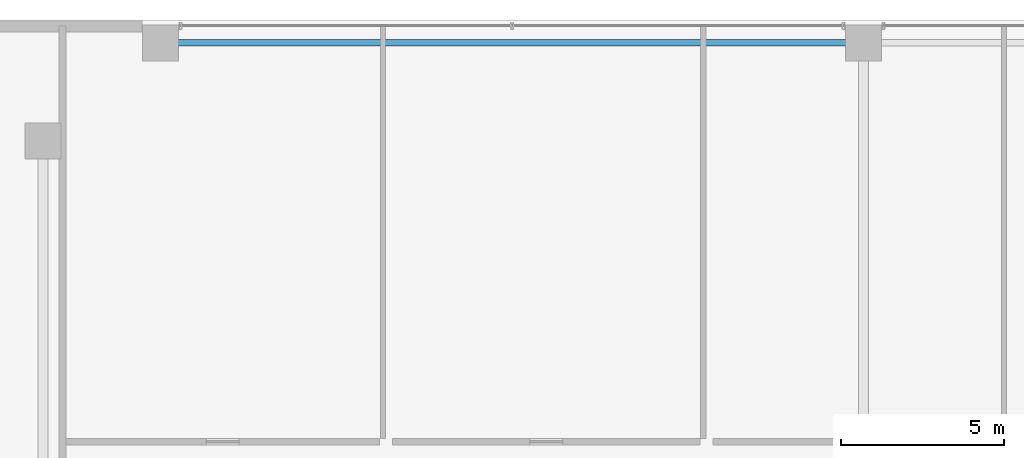
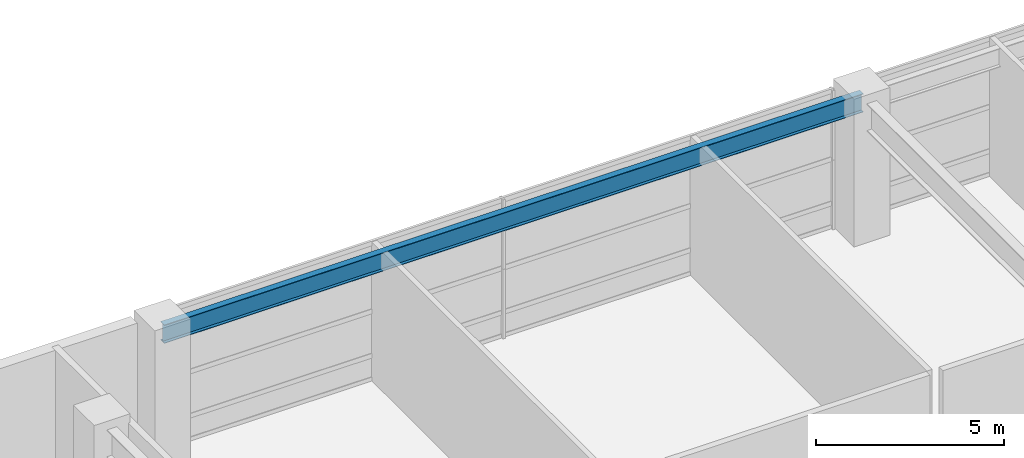
# One storey, part 20 of 39: 1 beam.
"""IFC4 building model written with IfcOpenShell, lengths in metres."""

from ifc_helpers import new_model, si_unit, direction, frame, origin, origin_2d, place, context, subcontext, project, spatial, i_section, extrude, source, transform, mapped, material, material_profile, profile_set, type_object, element, save


model = new_model("IFC4")

# Units and contexts
model_context = context("Model", 3, precision=1e-05, world=origin(), true_north=direction((0.0, 1.0)))
body_context = subcontext(model_context, "Body", "Model", "MODEL_VIEW")
ifc_project = project(units=[si_unit("LENGTHUNIT", "METRE"), si_unit("AREAUNIT", "SQUARE_METRE"), si_unit("VOLUMEUNIT", "CUBIC_METRE"), si_unit("PLANEANGLEUNIT", "RADIAN"), si_unit("MASSUNIT", "GRAM", prefix="KILO"), si_unit("THERMODYNAMICTEMPERATUREUNIT", "KELVIN"), si_unit("POWERUNIT", "WATT")], contexts=[model_context])

# Site, building, storey
site_placement = place(None, origin())
site = spatial("IfcSite", under=ifc_project, at=site_placement, CompositionType="ELEMENT")
building_placement = place(site_placement, origin())
building = spatial("IfcBuilding", under=site, at=building_placement, Name="Yuzanri Waterfront Tower", CompositionType="ELEMENT")
storey_placement = place(building_placement, frame((0.0, 0.0, 15.0)))
storey = spatial("IfcBuildingStorey", under=building, at=storey_placement, Name="L04", CompositionType="ELEMENT", Elevation=15.0)

# Beam
ifc_material = material(Name="Steel Q355B", Category="steel")
ifc_material_profile = material_profile(ifc_material, i_section(OverallWidth=0.199951171875, OverallDepth=0.60009765625, WebThickness=0.010986328125, FlangeThickness=0.01708984375, at=origin_2d()), Name="HN 600x200x11x17")
ifc_profile_set = profile_set([ifc_material_profile], Name="Steel Q355B")
beam_type = type_object("IfcBeamType", Name="Perimeter Spandrel Q355B HN 600x200", PredefinedType="SPANDREL", material=ifc_profile_set)
shared_shape = source(origin(), body_context, "Body", "SweptSolid", [
    extrude(i_section(OverallWidth=0.199951171875, OverallDepth=0.60009765625, WebThickness=0.010986328125, FlangeThickness=0.01708984375, at=origin_2d()), origin(), (0.0, 0.0, 1.0), 21.5),
])
beam_placement = place(storey_placement, frame((15.5, 49.10009765625, 4.219970703125), z_axis=(1.0, 0.0, 0.0), x_axis=(0.0, 1.0, 0.0)))
element("IfcBeam", 1, at=beam_placement, inside=storey, type_object=beam_type, Name="L04 North Spandrel 1", PredefinedType="SPANDREL", context=body_context, shape_type="MappedRepresentation", body=[
    mapped(shared_shape, transform((0.0, 0.0, 0.0), scale=1.0)),
])

save(model, "model.ifc")
